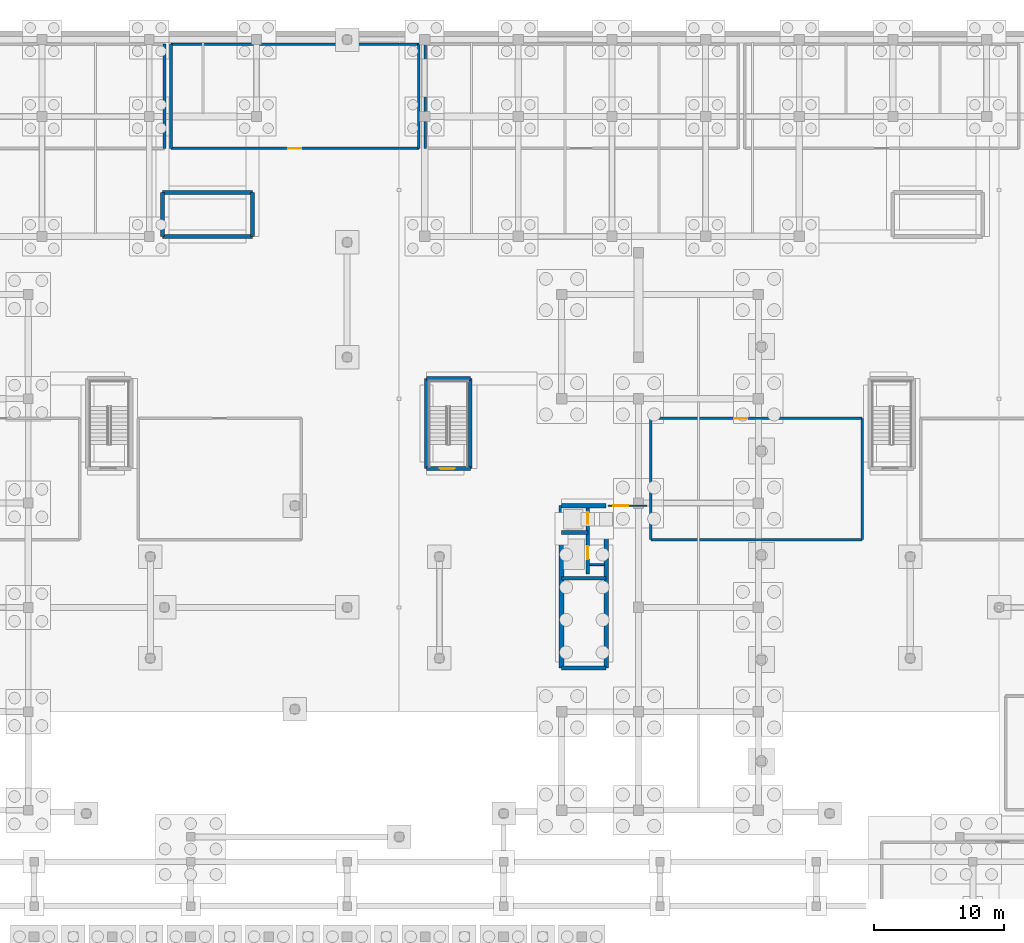
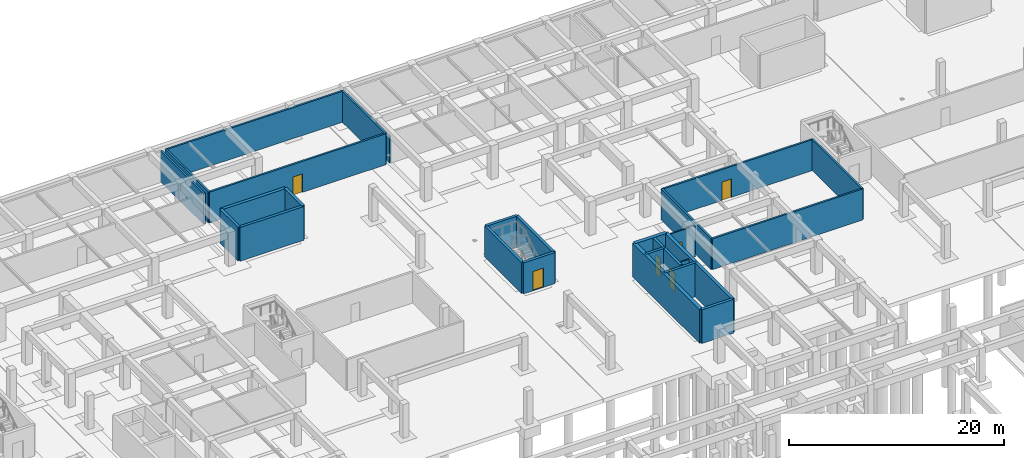
# One storey, part 21 of 35: 27 walls, 6 doors, 6 openings.
"""IFC4 building model written with IfcOpenShell, lengths in metres."""

from ifc_helpers import new_model, si_unit, direction, frame, frame_2d, origin, place, context, subcontext, project, spatial, rectangle, extrude, material, layer, layer_set, type_object, element, fill, save


model = new_model("IFC4")

# Units and contexts
model_context = context("Model", 3, precision=1e-05, world=origin(), true_north=direction((0.0, 1.0)))
body_context = subcontext(model_context, "Body", "Model", "MODEL_VIEW")
ifc_project = project(units=[si_unit("LENGTHUNIT", "METRE"), si_unit("AREAUNIT", "SQUARE_METRE"), si_unit("VOLUMEUNIT", "CUBIC_METRE"), si_unit("PLANEANGLEUNIT", "RADIAN"), si_unit("MASSUNIT", "GRAM", prefix="KILO")], contexts=[model_context])

# Site, building, storey
site_placement = place(None, origin())
site = spatial("IfcSite", under=ifc_project, at=site_placement, CompositionType="ELEMENT")
building_placement = place(site_placement, origin())
building = spatial("IfcBuilding", under=site, at=building_placement, Name="Keldmere Railside Commons", CompositionType="ELEMENT")
storey_placement = place(building_placement, frame((0.0, 0.0, -3.840087890625)))
storey = spatial("IfcBuildingStorey", under=building, at=storey_placement, Name="B1", CompositionType="ELEMENT", Elevation=-3.840087890625)

# Walls
ifc_material_1 = material(Name="Concrete H-35 (C35/45)", Category="concrete")
ifc_layer_1 = layer(ifc_material_1, 0.280029296875, Name="Core Shear Wall 280")
ifc_layer_set_1 = layer_set([ifc_layer_1], Name="Concrete H-35 (C35/45)")
wall_type_1 = type_object("IfcWallType", Name="Core Shear Wall 280", PredefinedType="SHEAR", material=ifc_layer_set_1)
wall_1_placement = place(storey_placement, frame((104.4599609375, 74.239990234375, 0.0), z_axis=(0.0, 0.0, 1.0), x_axis=(1.0, 0.0, 0.0)))
element("IfcWall", 1, at=wall_1_placement, inside=storey, type_object=wall_type_1, Name="CSW-2 COREBM-B1-0424", PredefinedType="SHEAR", context=body_context, shape_type="SweptSolid", body=[
    extrude(rectangle(XDim=3.41015625, YDim=0.280029296875, at=frame_2d((1.705078125, 0.0))), origin(), (0.0, 0.0, 1.0), 3.840087890625),
])
wall_2_placement = place(storey_placement, frame((104.4599609375, 77.75, 0.0), z_axis=(0.0, 0.0, 1.0), x_axis=(1.0, 0.0, 0.0)))
element("IfcWall", 2, at=wall_2_placement, inside=storey, type_object=wall_type_1, Name="CSW-2 COREBL-B1-0425", PredefinedType="SHEAR", context=body_context, shape_type="SweptSolid", body=[
    extrude(rectangle(XDim=2.0, YDim=0.280029296875, at=frame_2d((1.0, 0.0))), origin(), (0.0, 0.0, 1.0), 3.840087890625),
])

# Wall, openings, doors
wall_3_placement = place(storey_placement, frame((106.4599609375, 74.550048828125, 0.0), z_axis=(0.0, 0.0, 1.0), x_axis=(0.0, 1.0, 0.0)))
wall_3 = element("IfcWall", 3, at=wall_3_placement, inside=storey, type_object=wall_type_1, Name="CSW-2 LSHB-B1-0426", PredefinedType="SHEAR", context=body_context, shape_type="SweptSolid", body=[
    extrude(rectangle(XDim=5.25, YDim=0.280029296875, at=frame_2d((2.625, 0.0))), origin(), (0.0, 0.0, 1.0), 3.840087890625),
])
opening_1_placement = place(wall_3_placement, frame((1.14990234375, 0.0, 0.0)))
opening_1 = element("IfcOpeningElement", 4, at=opening_1_placement, cuts=wall_3, Name="Opening LD-1", PredefinedType="OPENING", context=body_context, shape_type="SweptSolid", body=[
    extrude(rectangle(XDim=1.0, YDim=2.14990234375, at=frame_2d((0.5, 1.074951171875))), frame((0.0, 0.14990234375, 0.0), z_axis=(0.0, -1.0, 0.0), x_axis=(1.0, 0.0, 0.0)), (0.0, 0.0, 1.0), 0.300048828125),
])
opening_2_placement = place(wall_3_placement, frame((3.85009765625, 0.0, 0.0)))
opening_2 = element("IfcOpeningElement", 5, at=opening_2_placement, cuts=wall_3, Name="Opening LD-2", PredefinedType="OPENING", context=body_context, shape_type="SweptSolid", body=[
    extrude(rectangle(XDim=0.89990234375, YDim=2.14990234375, at=frame_2d((0.449951171875, 1.074951171875))), frame((0.0, 0.14990234375, 0.0), z_axis=(0.0, -1.0, 0.0), x_axis=(1.0, 0.0, 0.0)), (0.0, 0.0, 1.0), 0.300048828125),
])
ifc_material_2 = material(Name="Steel F-24 (S235)", Category="steel")
door_type_1 = type_object("IfcDoorType", Name="Firefighting Stretcher Lift Landing Door 1000x2150", OperationType="SLIDING_TO_LEFT", PredefinedType="DOOR", material=ifc_material_2)
door_1_placement = place(opening_1_placement, origin())
door_1 = element("IfcDoor", 6, at=door_1_placement, inside=storey, type_object=door_type_1, Name="LD-1 B B1", OperationType="SLIDING_TO_LEFT", OverallHeight=2.14990234375, OverallWidth=1.0, PredefinedType="DOOR", context=body_context, shape_type="SweptSolid", body=[
    extrude(rectangle(XDim=1.0, YDim=2.14990234375, at=frame_2d((0.5, 1.074951171875))), frame((0.0, 0.02490234375, 0.0), z_axis=(0.0, -1.0, 0.0), x_axis=(1.0, 0.0, 0.0)), (0.0, 0.0, 1.0), 0.050048828125),
])
fill(opening_1, door_1)
door_type_2 = type_object("IfcDoorType", Name="Passenger Lift Sliding Landing Door 900x2150", OperationType="SLIDING_TO_RIGHT", PredefinedType="DOOR", material=ifc_material_2)
door_2_placement = place(opening_2_placement, origin())
door_2 = element("IfcDoor", 7, at=door_2_placement, inside=storey, type_object=door_type_2, Name="LD-2 B B1", OperationType="SLIDING_TO_RIGHT", OverallHeight=2.14990234375, OverallWidth=0.89990234375, PredefinedType="DOOR", context=body_context, shape_type="SweptSolid", body=[
    extrude(rectangle(XDim=0.89990234375, YDim=2.14990234375, at=frame_2d((0.449951171875, 1.074951171875))), frame((0.0, 0.02490234375, 0.0), z_axis=(0.0, -1.0, 0.0), x_axis=(1.0, 0.0, 0.0)), (0.0, 0.0, 1.0), 0.050048828125),
])
fill(opening_2, door_2)

# Walls
ifc_material_3 = material(Name="Concrete H-40 (C40/50)", Category="concrete")
ifc_layer_2 = layer(ifc_material_3, 0.3798828125, Name="Core Shear Wall 380")
ifc_layer_set_2 = layer_set([ifc_layer_2], Name="Concrete H-40 (C40/50)")
wall_type_2 = type_object("IfcWallType", Name="Core Shear Wall 380", PredefinedType="SHEAR", material=ifc_layer_set_2)
wall_4_placement = place(storey_placement, frame((104.4599609375, 67.35009765625, 0.0), z_axis=(0.0, 0.0, 1.0), x_axis=(0.0, 1.0, 0.0)))
element("IfcWall", 8, at=wall_4_placement, inside=storey, type_object=wall_type_2, Name="CW-CORE COREBW-B1-0420", PredefinedType="SHEAR", context=body_context, shape_type="SweptSolid", body=[
    extrude(rectangle(XDim=12.449951171875, YDim=0.3798828125, at=frame_2d((6.22509765625, 0.0))), origin(), (0.0, 0.0, 1.0), 3.840087890625),
])
wall_5_placement = place(storey_placement, frame((104.4599609375, 79.800048828125, 0.0), z_axis=(0.0, 0.0, 1.0), x_axis=(1.0, 0.0, 0.0)))
element("IfcWall", 9, at=wall_5_placement, inside=storey, type_object=wall_type_2, Name="CW-CORE COREBN-B1-0421", PredefinedType="SHEAR", context=body_context, shape_type="SweptSolid", body=[
    extrude(rectangle(XDim=3.41015625, YDim=0.3798828125, at=frame_2d((1.705078125, 0.0))), origin(), (0.0, 0.0, 1.0), 3.840087890625),
])

# Wall, opening, door
ifc_layer_3 = layer(ifc_material_1, 0.300048828125, Name="Interior Shear Wall 300")
ifc_layer_set_3 = layer_set([ifc_layer_3], Name="Concrete H-35 (C35/45)")
wall_type_3 = type_object("IfcWallType", Name="Interior Shear Wall 300", PredefinedType="SHEAR", material=ifc_layer_set_3)
wall_6_placement = place(storey_placement, frame((97.449951171875, 82.64990234375, 0.0), z_axis=(0.0, 0.0, 1.0), x_axis=(-1.0, 0.0, 0.0)))
wall_6 = element("IfcWall", 10, at=wall_6_placement, inside=storey, type_object=wall_type_3, Name="ISW-2 WAL-ST-B4-B1-S", PredefinedType="SHEAR", context=body_context, shape_type="SweptSolid", body=[
    extrude(rectangle(XDim=3.349853515625, YDim=0.300048828125, at=frame_2d((1.6748046875, 0.0))), origin(), (0.0, 0.0, 1.0), 3.52001953125),
])
opening_3_placement = place(wall_6_placement, frame((1.199951171875, 0.0, 0.0)))
opening_3 = element("IfcOpeningElement", 11, at=opening_3_placement, cuts=wall_6, Name="Opening FD-5", PredefinedType="OPENING", context=body_context, shape_type="SweptSolid", body=[
    extrude(rectangle(XDim=1.14990234375, YDim=2.199951171875, at=frame_2d((0.574951171875, 1.10009765625))), frame((0.0, 0.159912109375, 0.0), z_axis=(0.0, -1.0, 0.0), x_axis=(1.0, 0.0, 0.0)), (0.0, 0.0, 1.0), 0.320068359375),
])
door_type_3 = type_object("IfcDoorType", Name="Basement Garage Vestibule Fire Door 1150x2200", OperationType="NOTDEFINED", PredefinedType="DOOR", material=ifc_material_2)
door_3_placement = place(opening_3_placement, origin())
door_3 = element("IfcDoor", 12, at=door_3_placement, inside=storey, type_object=door_type_3, Name="FD-5 ST-B4 B1", OperationType="SINGLE_SWING_LEFT", OverallHeight=2.199951171875, OverallWidth=1.14990234375, PredefinedType="DOOR", context=body_context, shape_type="SweptSolid", body=[
    extrude(rectangle(XDim=1.14990234375, YDim=2.199951171875, at=frame_2d((0.574951171875, 1.10009765625))), frame((0.0, 0.02490234375, 0.0), z_axis=(0.0, -1.0, 0.0), x_axis=(1.0, 0.0, 0.0)), (0.0, 0.0, 1.0), 0.050048828125),
])
fill(opening_3, door_3)

# Walls
wall_7_placement = place(storey_placement, frame((94.10009765625, 82.64990234375, 0.0), z_axis=(0.0, 0.0, 1.0), x_axis=(0.0, 1.0, 0.0)))
element("IfcWall", 13, at=wall_7_placement, inside=storey, type_object=wall_type_3, Name="ISW-2 WAL-ST-B4-B1-W", PredefinedType="SHEAR", context=body_context, shape_type="SweptSolid", body=[
    extrude(rectangle(XDim=6.900146484375, YDim=0.300048828125, at=frame_2d((3.4501953125, 0.0))), origin(), (0.0, 0.0, 1.0), 3.52001953125),
])
wall_8_placement = place(storey_placement, frame((94.10009765625, 89.550048828125, 0.0), z_axis=(0.0, 0.0, 1.0), x_axis=(1.0, 0.0, 0.0)))
element("IfcWall", 14, at=wall_8_placement, inside=storey, type_object=wall_type_3, Name="ISW-2 WAL-ST-B4-B1-N", PredefinedType="SHEAR", context=body_context, shape_type="SweptSolid", body=[
    extrude(rectangle(XDim=3.349853515625, YDim=0.300048828125, at=frame_2d((1.6748046875, 0.0))), origin(), (0.0, 0.0, 1.0), 3.52001953125),
])
wall_9_placement = place(storey_placement, frame((97.449951171875, 89.550048828125, 0.0), z_axis=(0.0, 0.0, 1.0), x_axis=(0.0, -1.0, 0.0)))
element("IfcWall", 15, at=wall_9_placement, inside=storey, type_object=wall_type_3, Name="ISW-2 WAL-ST-B4-B1-E", PredefinedType="SHEAR", context=body_context, shape_type="SweptSolid", body=[
    extrude(rectangle(XDim=6.900146484375, YDim=0.300048828125, at=frame_2d((3.4501953125, 0.0))), origin(), (0.0, 0.0, 1.0), 3.52001953125),
])
wall_10_placement = place(storey_placement, frame((73.85009765625, 100.449951171875, 0.0), z_axis=(0.0, 0.0, 1.0), x_axis=(1.0, 0.0, 0.0)))
element("IfcWall", 16, at=wall_10_placement, inside=storey, type_object=wall_type_3, Name="ISW-2 COREC2S-B1-0194", PredefinedType="SHEAR", context=body_context, shape_type="SweptSolid", body=[
    extrude(rectangle(XDim=6.89990234375, YDim=0.300048828125, at=frame_2d((3.449951171875, 0.0))), origin(), (0.0, 0.0, 1.0), 3.840087890625),
])
for number, where, z_axis, x_axis, name in (
    (17, (73.85009765625, 103.820068359375, 0.0), (0.0, 0.0, 1.0), (0.0, -1.0, 0.0), "ISW-2 COREC2W-B1-0196"),
    (18, (80.75, 100.449951171875, 0.0), (0.0, 0.0, 1.0), (0.0, 1.0, 0.0), "ISW-2 COREC2E-B1-0197"),
):
    element("IfcWall", number, at=place(storey_placement, frame(where, z_axis=z_axis, x_axis=x_axis)), inside=storey, type_object=wall_type_3, Name=name, PredefinedType="SHEAR", context=body_context, shape_type="SweptSolid", body=[
        extrude(rectangle(XDim=3.3701171875, YDim=0.300048828125, at=frame_2d((1.68505859375, 0.0))), origin(), (0.0, 0.0, 1.0), 3.840087890625),
    ])
wall_11_placement = place(storey_placement, frame((107.8701171875, 67.35009765625, 0.0), z_axis=(0.0, 0.0, 1.0), x_axis=(-1.0, 0.0, 0.0)))
element("IfcWall", 19, at=wall_11_placement, inside=storey, type_object=wall_type_3, Name="ISW-2 COREBS-B1-0423", PredefinedType="SHEAR", context=body_context, shape_type="SweptSolid", body=[
    extrude(rectangle(XDim=3.41015625, YDim=0.300048828125, at=frame_2d((1.705078125, 0.0))), origin(), (0.0, 0.0, 1.0), 3.840087890625),
])
ifc_layer_4 = layer(ifc_material_1, 0.340087890625, Name="Interior Shear Wall 340")
ifc_layer_set_4 = layer_set([ifc_layer_4], Name="Concrete H-35 (C35/45)")
wall_type_4 = type_object("IfcWallType", Name="Interior Shear Wall 340", PredefinedType="SHEAR", material=ifc_layer_set_4)
wall_12_placement = place(storey_placement, frame((80.75, 103.820068359375, 0.0), z_axis=(0.0, 0.0, 1.0), x_axis=(-1.0, 0.0, 0.0)))
element("IfcWall", 20, at=wall_12_placement, inside=storey, type_object=wall_type_4, Name="ISW-1 COREC2N-B1-0195", PredefinedType="SHEAR", context=body_context, shape_type="SweptSolid", body=[
    extrude(rectangle(XDim=6.89990234375, YDim=0.340087890625, at=frame_2d((3.449951171875, 0.0))), origin(), (0.0, 0.0, 1.0), 3.840087890625),
])
wall_13_placement = place(storey_placement, frame((107.8701171875, 79.800048828125, 0.0), z_axis=(0.0, 0.0, 1.0), x_axis=(0.0, -1.0, 0.0)))
element("IfcWall", 21, at=wall_13_placement, inside=storey, type_object=wall_type_4, Name="ISW-1 COREBE-B1-0422", PredefinedType="SHEAR", context=body_context, shape_type="SweptSolid", body=[
    extrude(rectangle(XDim=12.449951171875, YDim=0.340087890625, at=frame_2d((6.22509765625, 0.0))), origin(), (0.0, 0.0, 1.0), 3.840087890625),
])
ifc_material_4 = material(Name="Acoustic Gypsum Board Partition", Category="gypsum")
ifc_layer_5 = layer(ifc_material_4, 0.14990234375, Name="Lobby Rated Partition 150")
ifc_layer_set_5 = layer_set([ifc_layer_5], Name="Acoustic Gypsum Board Partition")
wall_type_5 = type_object("IfcWallType", Name="Lobby Rated Partition 150", PredefinedType="PARTITIONING", material=ifc_layer_set_5)
wall_14_placement = place(storey_placement, frame((106.60009765625, 75.280029296875, 0.0), z_axis=(0.0, 0.0, 1.0), x_axis=(1.0, 0.0, 0.0)))
element("IfcWall", 22, at=wall_14_placement, inside=storey, type_object=wall_type_5, Name="IW-3 RSRNB-B1-0427", PredefinedType="PARTITIONING", context=body_context, shape_type="SweptSolid", body=[
    extrude(rectangle(XDim=1.1298828125, YDim=0.14990234375, at=frame_2d((0.56494140625, 0.0))), origin(), (0.0, 0.0, 1.0), 3.590087890625),
])

# Wall, opening, door
wall_15_placement = place(storey_placement, frame((108.0, 79.800048828125, 0.0), z_axis=(0.0, 0.0, 1.0), x_axis=(1.0, 0.0, 0.0)))
wall_15 = element("IfcWall", 23, at=wall_15_placement, inside=storey, type_object=wall_type_5, Name="IW-3 IW-B1-0091", PredefinedType="PARTITIONING", context=body_context, shape_type="SweptSolid", body=[
    extrude(rectangle(XDim=3.0, YDim=0.14990234375, at=frame_2d((1.5, 0.0))), origin(), (0.0, 0.0, 1.0), 3.52001953125),
])
opening_4_placement = place(wall_15_placement, frame((0.39990234375, 0.0, 0.0)))
opening_4 = element("IfcOpeningElement", 24, at=opening_4_placement, cuts=wall_15, Name="Opening FD-5", PredefinedType="OPENING", context=body_context, shape_type="SweptSolid", body=[
    extrude(rectangle(XDim=1.14990234375, YDim=2.199951171875, at=frame_2d((0.574951171875, 1.10009765625))), frame((0.0, 0.0849609375, 0.0), z_axis=(0.0, -1.0, 0.0), x_axis=(1.0, 0.0, 0.0)), (0.0, 0.0, 1.0), 0.169921875),
])
door_4_placement = place(opening_4_placement, origin())
door_4 = element("IfcDoor", 25, at=door_4_placement, inside=storey, type_object=door_type_3, Name="FD-5 IDR-B1-0025", OperationType="SINGLE_SWING_LEFT", OverallHeight=2.199951171875, OverallWidth=1.14990234375, PredefinedType="DOOR", context=body_context, shape_type="SweptSolid", body=[
    extrude(rectangle(XDim=1.14990234375, YDim=2.199951171875, at=frame_2d((0.574951171875, 1.10009765625))), frame((0.0, 0.02490234375, 0.0), z_axis=(0.0, -1.0, 0.0), x_axis=(1.0, 0.0, 0.0)), (0.0, 0.0, 1.0), 0.050048828125),
])
fill(opening_4, door_4)

# Walls
ifc_material_5 = material(Name="Terracotta Brick Masonry", Category="masonry")
ifc_layer_6 = layer(ifc_material_5, 0.199951171875, Name="Plant Masonry Infill Wall 200")
ifc_layer_set_6 = layer_set([ifc_layer_6], Name="Terracotta Brick Masonry")
wall_type_6 = type_object("IfcWallType", Name="Plant Masonry Infill Wall 200", PredefinedType="SOLIDWALL", material=ifc_layer_set_6)
wall_16_placement = place(storey_placement, frame((74.0, 107.199951171875, 0.0), z_axis=(0.0, 0.0, 1.0), x_axis=(0.0, 1.0, 0.0)))
element("IfcWall", 26, at=wall_16_placement, inside=storey, type_object=wall_type_6, Name="MW-1 IW-B1-0006", PredefinedType="SOLIDWALL", context=body_context, shape_type="SweptSolid", body=[
    extrude(rectangle(XDim=8.0, YDim=0.199951171875, at=frame_2d((4.0, 0.0))), origin(), (0.0, 0.0, 1.0), 3.52001953125),
])
wall_17_placement = place(storey_placement, frame((94.0, 115.199951171875, 0.0), z_axis=(0.0, 0.0, 1.0), x_axis=(0.0, -1.0, 0.0)))
element("IfcWall", 27, at=wall_17_placement, inside=storey, type_object=wall_type_6, Name="MW-1 IW-B1-0012", PredefinedType="SOLIDWALL", context=body_context, shape_type="SweptSolid", body=[
    extrude(rectangle(XDim=8.0, YDim=0.199951171875, at=frame_2d((4.0, 0.0))), origin(), (0.0, 0.0, 1.0), 3.02001953125),
])
wall_18_placement = place(storey_placement, frame((111.300048828125, 77.199951171875, 0.0), z_axis=(0.0, 0.0, 1.0), x_axis=(1.0, 0.0, 0.0)))
element("IfcWall", 28, at=wall_18_placement, inside=storey, type_object=wall_type_6, Name="MW-1 IW-B1-0045", PredefinedType="SOLIDWALL", context=body_context, shape_type="SweptSolid", body=[
    extrude(rectangle(XDim=16.199951171875, YDim=0.199951171875, at=frame_2d((8.10009765625, 0.0))), origin(), (0.0, 0.0, 1.0), 3.52001953125),
])
wall_19_placement = place(storey_placement, frame((127.5, 77.199951171875, 0.0), z_axis=(0.0, 0.0, 1.0), x_axis=(0.0, 1.0, 0.0)))
element("IfcWall", 29, at=wall_19_placement, inside=storey, type_object=wall_type_6, Name="MW-1 IW-B1-0046", PredefinedType="SOLIDWALL", context=body_context, shape_type="SweptSolid", body=[
    extrude(rectangle(XDim=9.300048828125, YDim=0.199951171875, at=frame_2d((4.64990234375, 0.0))), origin(), (0.0, 0.0, 1.0), 3.52001953125),
])

# Wall, opening, door
wall_20_placement = place(storey_placement, frame((127.5, 86.5, 0.0), z_axis=(0.0, 0.0, 1.0), x_axis=(-1.0, 0.0, 0.0)))
wall_20 = element("IfcWall", 30, at=wall_20_placement, inside=storey, type_object=wall_type_6, Name="MW-1 IW-B1-0047", PredefinedType="SOLIDWALL", context=body_context, shape_type="SweptSolid", body=[
    extrude(rectangle(XDim=16.199951171875, YDim=0.199951171875, at=frame_2d((8.10009765625, 0.0))), origin(), (0.0, 0.0, 1.0), 3.52001953125),
])
opening_5_placement = place(wall_20_placement, frame((8.800048828125, 0.0, 0.0)))
opening_5 = element("IfcOpeningElement", 31, at=opening_5_placement, cuts=wall_20, Name="Opening FD-9", PredefinedType="OPENING", context=body_context, shape_type="SweptSolid", body=[
    extrude(rectangle(XDim=1.0, YDim=2.10009765625, at=frame_2d((0.5, 1.050048828125))), frame((0.0, 0.10986328125, 0.0), z_axis=(0.0, -1.0, 0.0), x_axis=(1.0, 0.0, 0.0)), (0.0, 0.0, 1.0), 0.219970703125),
])
door_type_4 = type_object("IfcDoorType", Name="Waste & Storage Fire Door 1000x2100", OperationType="NOTDEFINED", PredefinedType="DOOR", material=ifc_material_2)
door_5_placement = place(opening_5_placement, origin())
door_5 = element("IfcDoor", 32, at=door_5_placement, inside=storey, type_object=door_type_4, Name="FD-9 IDR-B1-0012", OperationType="SINGLE_SWING_RIGHT", OverallHeight=2.10009765625, OverallWidth=1.0, PredefinedType="DOOR", context=body_context, shape_type="SweptSolid", body=[
    extrude(rectangle(XDim=1.0, YDim=2.10009765625, at=frame_2d((0.5, 1.050048828125))), frame((0.0, 0.02490234375, 0.0), z_axis=(0.0, -1.0, 0.0), x_axis=(1.0, 0.0, 0.0)), (0.0, 0.0, 1.0), 0.050048828125),
])
fill(opening_5, door_5)

# Wall
wall_21_placement = place(storey_placement, frame((111.300048828125, 86.5, 0.0), z_axis=(0.0, 0.0, 1.0), x_axis=(0.0, -1.0, 0.0)))
element("IfcWall", 33, at=wall_21_placement, inside=storey, type_object=wall_type_6, Name="MW-1 IW-B1-0048", PredefinedType="SOLIDWALL", context=body_context, shape_type="SweptSolid", body=[
    extrude(rectangle(XDim=9.300048828125, YDim=0.199951171875, at=frame_2d((4.64990234375, 0.0))), origin(), (0.0, 0.0, 1.0), 3.52001953125),
])

# Wall, opening, door
wall_22_placement = place(storey_placement, frame((74.5, 107.199951171875, 0.0), z_axis=(0.0, 0.0, 1.0), x_axis=(1.0, 0.0, 0.0)))
wall_22 = element("IfcWall", 34, at=wall_22_placement, inside=storey, type_object=wall_type_6, Name="MW-1 IW-B1-0057", PredefinedType="SOLIDWALL", context=body_context, shape_type="SweptSolid", body=[
    extrude(rectangle(XDim=19.0, YDim=0.199951171875, at=frame_2d((9.5, 0.0))), origin(), (0.0, 0.0, 1.0), 3.52001953125),
])
opening_6_placement = place(wall_22_placement, frame((9.0, 0.0, 0.0)))
opening_6 = element("IfcOpeningElement", 35, at=opening_6_placement, cuts=wall_22, Name="Opening FD-9", PredefinedType="OPENING", context=body_context, shape_type="SweptSolid", body=[
    extrude(rectangle(XDim=1.0, YDim=2.10009765625, at=frame_2d((0.5, 1.050048828125))), frame((0.0, 0.10986328125, 0.0), z_axis=(0.0, -1.0, 0.0), x_axis=(1.0, 0.0, 0.0)), (0.0, 0.0, 1.0), 0.219970703125),
])
door_6_placement = place(opening_6_placement, origin())
door_6 = element("IfcDoor", 36, at=door_6_placement, inside=storey, type_object=door_type_4, Name="FD-9 IDR-B1-0015", OperationType="SINGLE_SWING_LEFT", OverallHeight=2.10009765625, OverallWidth=1.0, PredefinedType="DOOR", context=body_context, shape_type="SweptSolid", body=[
    extrude(rectangle(XDim=1.0, YDim=2.10009765625, at=frame_2d((0.5, 1.050048828125))), frame((0.0, 0.02490234375, 0.0), z_axis=(0.0, -1.0, 0.0), x_axis=(1.0, 0.0, 0.0)), (0.0, 0.0, 1.0), 0.050048828125),
])
fill(opening_6, door_6)

# Walls
wall_23_placement = place(storey_placement, frame((93.5, 107.199951171875, 0.0), z_axis=(0.0, 0.0, 1.0), x_axis=(0.0, 1.0, 0.0)))
element("IfcWall", 37, at=wall_23_placement, inside=storey, type_object=wall_type_6, Name="MW-1 IW-B1-0058", PredefinedType="SOLIDWALL", context=body_context, shape_type="SweptSolid", body=[
    extrude(rectangle(XDim=8.0, YDim=0.199951171875, at=frame_2d((4.0, 0.0))), origin(), (0.0, 0.0, 1.0), 3.52001953125),
])
wall_24_placement = place(storey_placement, frame((93.5, 115.199951171875, 0.0), z_axis=(0.0, 0.0, 1.0), x_axis=(-1.0, 0.0, 0.0)))
element("IfcWall", 38, at=wall_24_placement, inside=storey, type_object=wall_type_6, Name="MW-1 IW-B1-0059", PredefinedType="SOLIDWALL", context=body_context, shape_type="SweptSolid", body=[
    extrude(rectangle(XDim=19.0, YDim=0.199951171875, at=frame_2d((9.5, 0.0))), origin(), (0.0, 0.0, 1.0), 3.52001953125),
])
wall_25_placement = place(storey_placement, frame((74.5, 115.199951171875, 0.0), z_axis=(0.0, 0.0, 1.0), x_axis=(0.0, -1.0, 0.0)))
element("IfcWall", 39, at=wall_25_placement, inside=storey, type_object=wall_type_6, Name="MW-1 IW-B1-0060", PredefinedType="SOLIDWALL", context=body_context, shape_type="SweptSolid", body=[
    extrude(rectangle(XDim=8.0, YDim=0.199951171875, at=frame_2d((4.0, 0.0))), origin(), (0.0, 0.0, 1.0), 3.52001953125),
])

save(model, "model.ifc")
